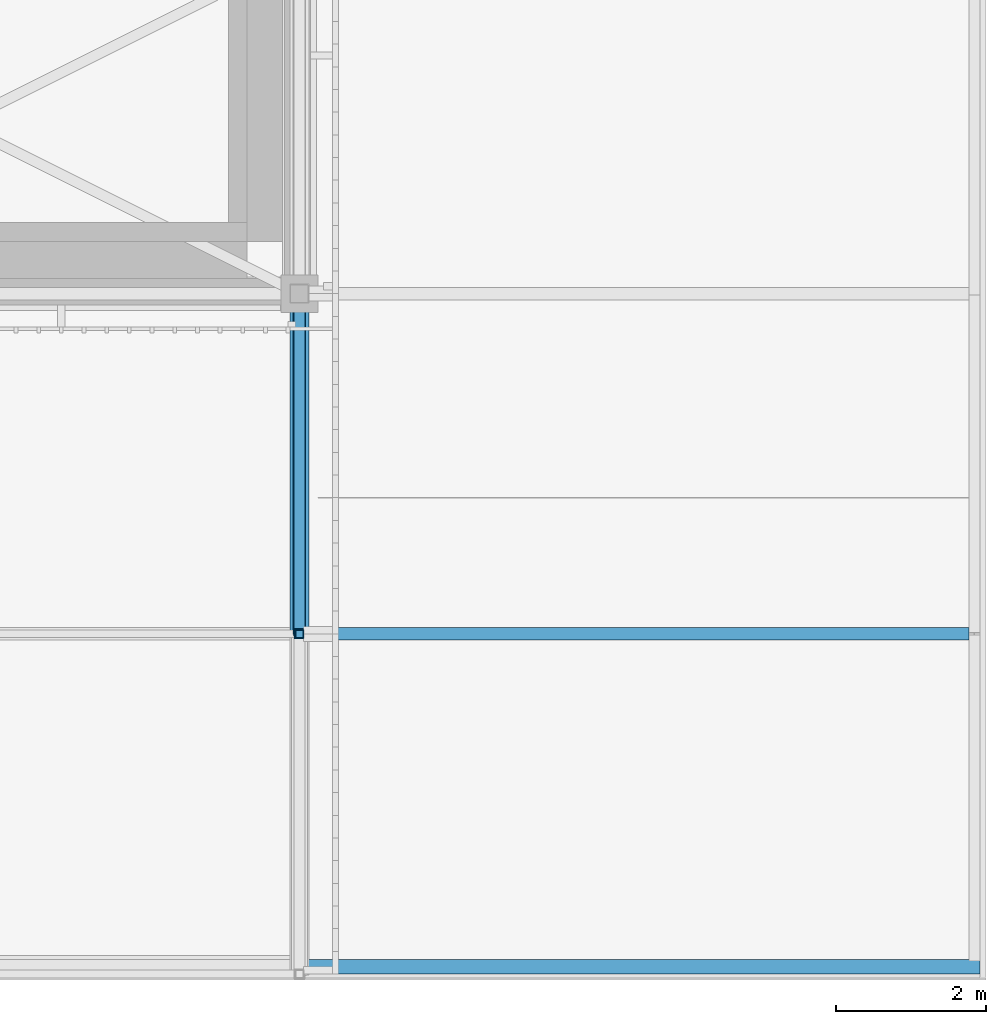
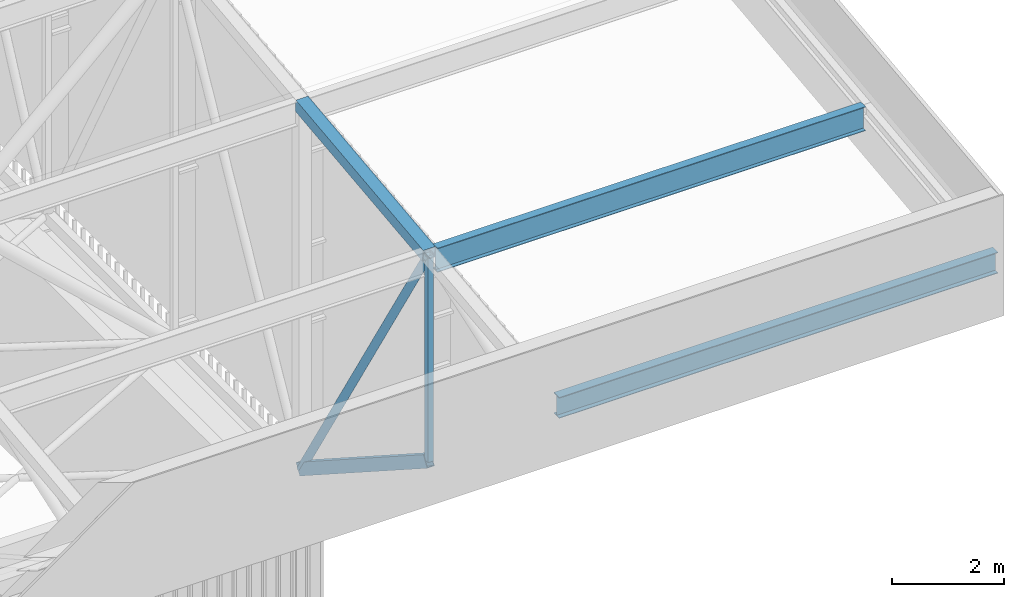
# One storey, part 331 of 500: 6 members.
"""IFC4 building model written with IfcOpenShell, lengths in metres."""

from ifc_helpers import new_model, si_unit, direction, frame, origin, origin_2d, place, context, subcontext, project, spatial, hollow_rectangle, hollow_circle, i_section, extrude, material, material_profile, profile_set, type_object, element, save


model = new_model("IFC4")

# Units and contexts
model_context = context("Model", 3, precision=1e-05, world=origin(), true_north=direction((0.0, 1.0)))
body_context = subcontext(model_context, "Body", "Model", "MODEL_VIEW")
ifc_project = project(units=[si_unit("LENGTHUNIT", "METRE"), si_unit("AREAUNIT", "SQUARE_METRE"), si_unit("VOLUMEUNIT", "CUBIC_METRE"), si_unit("PLANEANGLEUNIT", "RADIAN"), si_unit("MASSUNIT", "GRAM", prefix="KILO")], contexts=[model_context])

# Site, building, storey
site_placement = place(None, origin())
site = spatial("IfcSite", under=ifc_project, at=site_placement, CompositionType="ELEMENT")
building_placement = place(site_placement, origin())
building = spatial("IfcBuilding", under=site, at=building_placement, Name="Shirokan Park Arena", CompositionType="ELEMENT")
storey_placement = place(building_placement, frame((0.0, 0.0, 29.1201171875)))
storey = spatial("IfcBuildingStorey", under=building, at=storey_placement, Name="L06", CompositionType="ELEMENT", Elevation=29.1201171875)

# Members
ifc_material_1 = material(Name="Steel ASTM A500 Grade C", Category="steel")
ifc_material_profile_1 = material_profile(ifc_material_1, hollow_rectangle(XDim=0.152099609375, YDim=0.25390625, WallThickness=0.009521484375, at=origin_2d()), Name="HSS254X152.4X9.5")
ifc_profile_set_1 = profile_set([ifc_material_profile_1], Name="Steel ASTM A500 Grade C")
member_type_1 = type_object("IfcMemberType", Name="Bottom chord HSS254X152.4X9.5", PredefinedType="CHORD", material=ifc_profile_set_1)
member_1_placement = place(storey_placement, frame((145.60009765625, -4.550048828125, 7.6044921875), z_axis=(0.0, 0.840971691661, -0.541079119746), x_axis=(-1.0, 0.0, 0.0)))
element("IfcMember", 1, at=member_1_placement, inside=storey, type_object=member_type_1, Name="Truss T17 bottom chord 2", PredefinedType="CHORD", context=body_context, shape_type="SweptSolid", body=[
    extrude(hollow_rectangle(XDim=0.152099609375, YDim=0.25390625, WallThickness=0.009521484375, at=origin_2d()), origin(), (0.0, 0.0, 1.0), 5.410400390625),
])
ifc_material_2 = material(Name="Steel ASTM A992", Category="steel")
ifc_material_profile_2 = material_profile(ifc_material_2, i_section(OverallWidth=0.166015625, OverallDepth=0.528076171875, WebThickness=0.009765625, FlangeThickness=0.013671875, at=origin_2d()), Name="W530X74")
ifc_profile_set_2 = profile_set([ifc_material_profile_2], Name="Steel ASTM A992")
member_type_2 = type_object("IfcMemberType", Name="Purlin W530X74", PredefinedType="PURLIN", material=ifc_profile_set_2)
member_2_placement = place(storey_placement, frame((145.72705078125, -4.550048828125, 11.9658203125), z_axis=(1.0, 0.0, 0.0), x_axis=(0.0, 1.0, 0.0)))
element("IfcMember", 2, at=member_2_placement, inside=storey, type_object=member_type_2, Name="Eave purlin east 2", PredefinedType="PURLIN", context=body_context, shape_type="SweptSolid", body=[
    extrude(i_section(OverallWidth=0.166015625, OverallDepth=0.528076171875, WebThickness=0.009765625, FlangeThickness=0.013671875, at=origin_2d()), origin(), (0.0, 0.0, 1.0), 8.824951171875),
])
ifc_material_profile_3 = material_profile(ifc_material_2, i_section(OverallWidth=0.19091796875, OverallDepth=0.45703125, WebThickness=0.009033203125, FlangeThickness=0.014404296875, at=origin_2d()), Name="W460X74")
ifc_profile_set_3 = profile_set([ifc_material_profile_3], Name="Steel ASTM A992")
member_type_3 = type_object("IfcMemberType", Name="Roof edge beam W460X74", PredefinedType="USERDEFINED", material=ifc_profile_set_3)
member_3_placement = place(storey_placement, frame((145.656982421875, -9.00439453125, 11.4814453125), z_axis=(1.0, 0.0, 0.0), x_axis=(0.0, 1.0, 0.0)))
element("IfcMember", 3, at=member_3_placement, inside=storey, type_object=member_type_3, Name="Roof edge beam S 18", ObjectType="ROOF EDGE BEAM", PredefinedType="USERDEFINED", context=body_context, shape_type="SweptSolid", body=[
    extrude(i_section(OverallWidth=0.19091796875, OverallDepth=0.45703125, WebThickness=0.009033203125, FlangeThickness=0.014404296875, at=origin_2d()), origin(), (0.0, 0.0, 1.0), 9.04296875),
])
ifc_material_profile_4 = material_profile(ifc_material_1, hollow_rectangle(XDim=0.25390625, YDim=0.25390625, WallThickness=0.009521484375, at=origin_2d()), Name="HSS254X254X9.5")
ifc_profile_set_4 = profile_set([ifc_material_profile_4], Name="Steel ASTM A500 Grade C")
member_type_4 = type_object("IfcMemberType", Name="Top chord HSS254X254X9.5", PredefinedType="CHORD", material=ifc_profile_set_4)
member_4_placement = place(storey_placement, frame((145.60009765625, -4.550048828125, 12.102783203125), z_axis=(0.0, 0.993532328996, 0.113549598152), x_axis=(-1.0, 0.0, 0.0)))
element("IfcMember", 4, at=member_4_placement, inside=storey, type_object=member_type_4, Name="Truss T17 top chord 2", PredefinedType="CHORD", context=body_context, shape_type="SweptSolid", body=[
    extrude(hollow_rectangle(XDim=0.25390625, YDim=0.25390625, WallThickness=0.009521484375, at=origin_2d()), origin(), (0.0, 0.0, 1.0), 4.57958984375),
])
ifc_material_profile_5 = material_profile(ifc_material_1, hollow_circle(Radius=0.083984375, WallThickness=0.009521484375, at=origin_2d()), Name="HSS168.3X9.5")
ifc_profile_set_5 = profile_set([ifc_material_profile_5], Name="Steel ASTM A500 Grade C")
member_type_5 = type_object("IfcMemberType", Name="Truss diagonal HSS168.3X9.5", PredefinedType="BRACE", material=ifc_profile_set_5)
member_5_placement = place(storey_placement, frame((145.60009765625, -4.550048828125, 12.102783203125), z_axis=(0.0, 0.522458847856, -0.852664501605), x_axis=(-1.0, 0.0, 0.0)))
element("IfcMember", 5, at=member_5_placement, inside=storey, type_object=member_type_5, Name="Truss T17 diagonal 2", PredefinedType="BRACE", context=body_context, shape_type="SweptSolid", body=[
    extrude(hollow_circle(Radius=0.083984375, WallThickness=0.009521484375, at=origin_2d()), origin(), (0.0, 0.0, 1.0), 8.708984375),
])
ifc_material_profile_6 = material_profile(ifc_material_1, hollow_rectangle(XDim=0.114013671875, YDim=0.114013671875, WallThickness=0.00634765625, at=origin_2d()), Name="HSS114.3X114.3X6.4")
ifc_profile_set_6 = profile_set([ifc_material_profile_6], Name="Steel ASTM A500 Grade C")
member_type_6 = type_object("IfcMemberType", Name="Truss post HSS114.3X114.3X6.4", PredefinedType="POST", material=ifc_profile_set_6)
member_6_placement = place(storey_placement, frame((145.60009765625, -4.550048828125, 7.6044921875), z_axis=(0.0, 0.0, 1.0), x_axis=(1.0, 0.0, 0.0)))
element("IfcMember", 6, at=member_6_placement, inside=storey, type_object=member_type_6, Name="Truss T17 post 2", PredefinedType="POST", context=body_context, shape_type="SweptSolid", body=[
    extrude(hollow_rectangle(XDim=0.114013671875, YDim=0.114013671875, WallThickness=0.00634765625, at=origin_2d()), origin(), (0.0, 0.0, 1.0), 4.498291015625),
])

save(model, "model.ifc")
